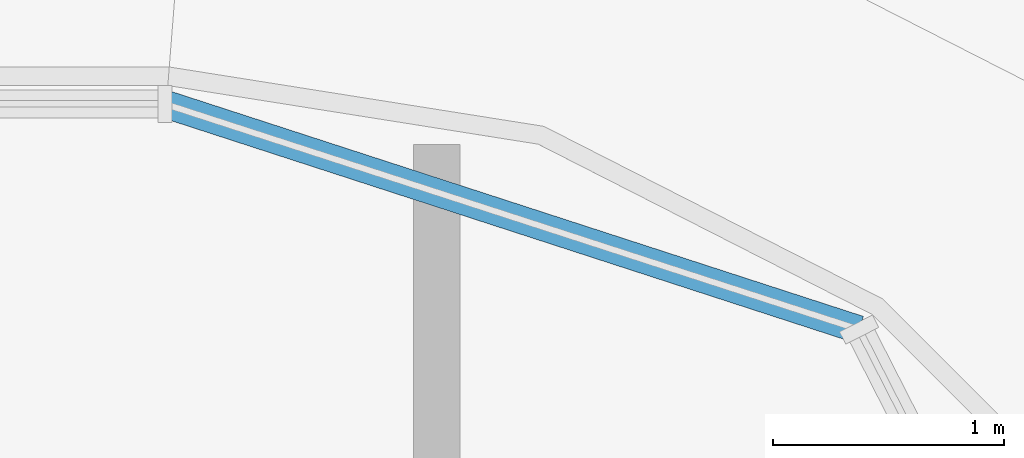
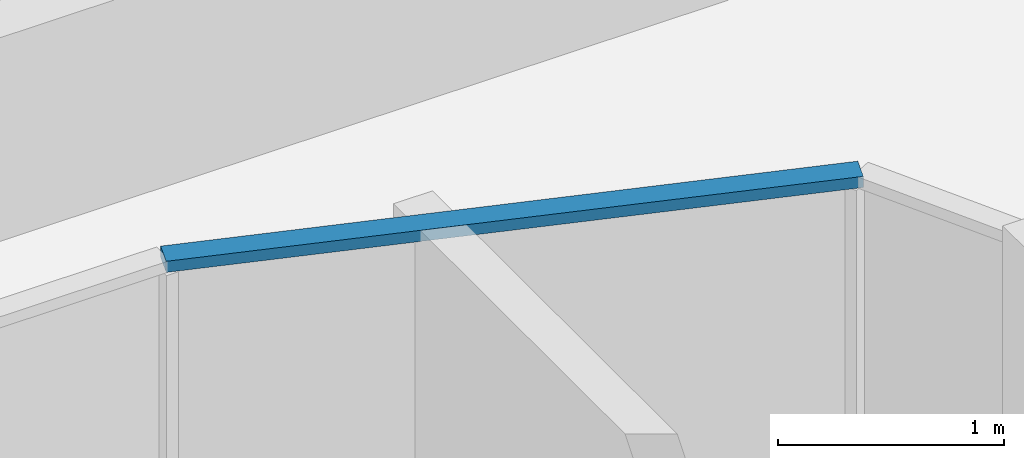
# One storey, part 9 of 51: 1 member, 1 element without a shape of its own.
"""IFC4 building model written with IfcOpenShell, lengths in metres."""

from ifc_helpers import new_model, si_unit, direction, frame, origin, origin_2d, place, context, subcontext, project, spatial, rectangle, extrude, material, material_profile, profile_set, type_object, element, aggregate, save


model = new_model("IFC4")

# Units and contexts
model_context = context("Model", 3, precision=1e-05, world=origin(), true_north=direction((0.0, 1.0)))
body_context = subcontext(model_context, "Body", "Model", "MODEL_VIEW")
ifc_project = project(units=[si_unit("LENGTHUNIT", "METRE"), si_unit("AREAUNIT", "SQUARE_METRE"), si_unit("VOLUMEUNIT", "CUBIC_METRE"), si_unit("PLANEANGLEUNIT", "RADIAN"), si_unit("MASSUNIT", "GRAM", prefix="KILO")], contexts=[model_context])

# Site, building, storey
site_placement = place(None, origin())
site = spatial("IfcSite", under=ifc_project, at=site_placement, CompositionType="ELEMENT")
building_placement = place(site_placement, origin())
building = spatial("IfcBuilding", under=site, at=building_placement, Name="Ogive Portal Towers", CompositionType="ELEMENT")
storey_placement = place(building_placement, frame((0.0, 0.0, 33.5)))
storey = spatial("IfcBuildingStorey", under=building, at=storey_placement, Name="L06", CompositionType="ELEMENT", Elevation=33.5)

# Curtain wall, member
ifc_material_1 = material(Name="Glass, clear low-iron insulated glazing", Category="glass")
curtain_wall_type = type_object("IfcCurtainWallType", Name="CW RESIDENCES RIBBON", PredefinedType="NOTDEFINED", material=ifc_material_1)
curtain_wall_placement = place(storey_placement, origin())
curtain_wall = element("IfcCurtainWall", 1, at=curtain_wall_placement, inside=storey, type_object=curtain_wall_type, Name="B:L06:f06:cwa~1", PredefinedType="NOTDEFINED")
ifc_material_2 = material(Name="Aluminium 6063 anodised", Category="aluminium")
ifc_material_profile = material_profile(ifc_material_2, rectangle(XDim=0.1201171875, YDim=0.06005859375, at=origin_2d()), Name="AL 120x60")
ifc_profile_set = profile_set([ifc_material_profile], Name="Aluminium 6063 anodised")
member_type = type_object("IfcMemberType", Name="CW TRANSOM 60x120", PredefinedType="USERDEFINED", material=ifc_profile_set)
member_placement = place(storey_placement, frame((149.988525390625, 44.124755859375, 3.3701171875), z_axis=(-0.951039185402, 0.309070328291, 0.0), x_axis=(-0.309070328291, -0.951039185402, 0.0)))
member = element("IfcMember", 2, at=member_placement, type_object=member_type, Name="transom", ObjectType="TRANSOM", PredefinedType="USERDEFINED", context=body_context, shape_type="SweptSolid", body=[
    extrude(rectangle(XDim=0.1201171875, YDim=0.06005859375, at=origin_2d()), origin(), (0.0, 0.0, 1.0), 3.15576171875),
])
aggregate(curtain_wall, [member])

save(model, "model.ifc")
